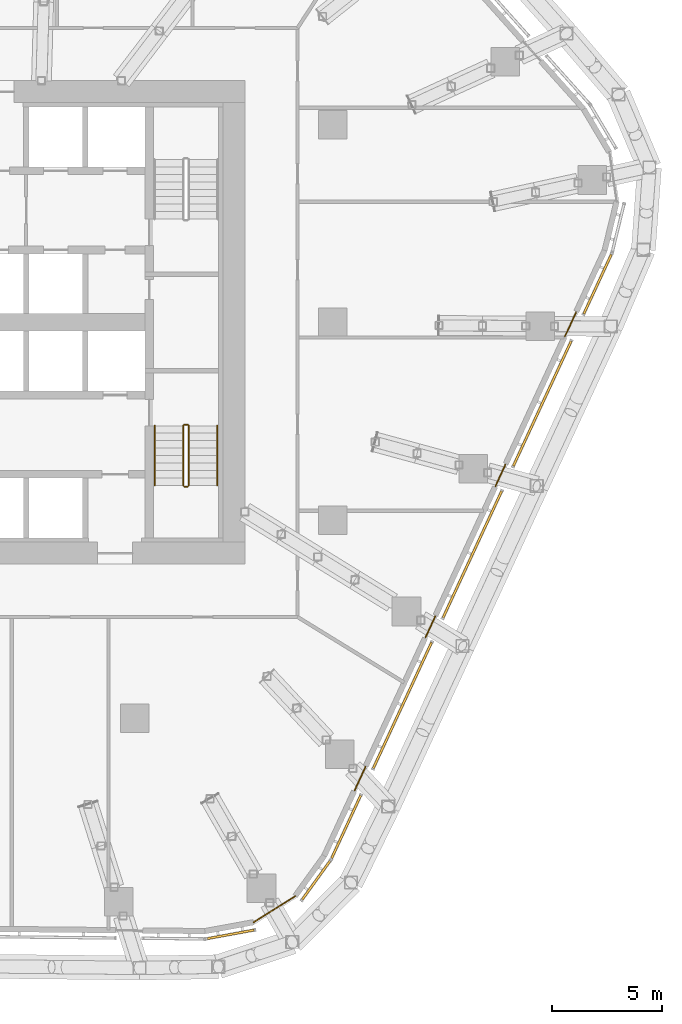
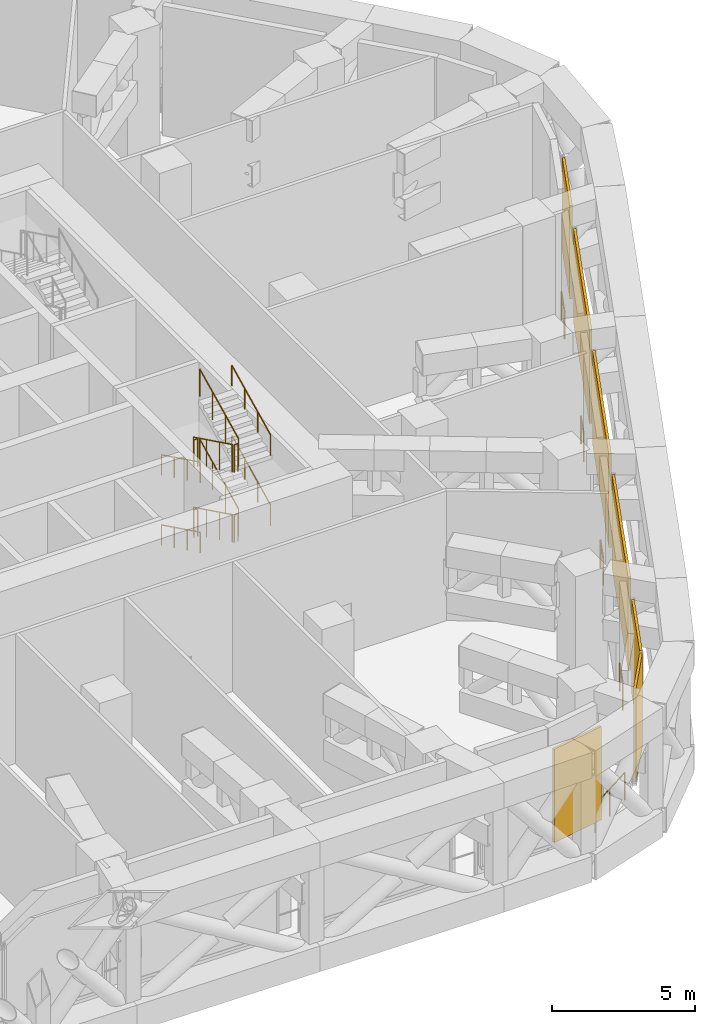
# One storey, part 27 of 30: 17 railings, 7 coverings, 2 elements without a shape of their own.
"""IFC4 building model written with IfcOpenShell, lengths in metres."""

from ifc_helpers import new_model, si_unit, direction, frame, origin, origin_2d, place, context, subcontext, project, spatial, rectangle, circle, extrude, material, layer, layer_set, type_object, element, aggregate, save


model = new_model("IFC4")

# Units and contexts
model_context = context("Model", 3, precision=1e-05, world=origin(), true_north=direction((0.0, 1.0)))
body_context = subcontext(model_context, "Body", "Model", "MODEL_VIEW")
ifc_project = project(units=[si_unit("LENGTHUNIT", "METRE"), si_unit("AREAUNIT", "SQUARE_METRE"), si_unit("VOLUMEUNIT", "CUBIC_METRE"), si_unit("PLANEANGLEUNIT", "RADIAN"), si_unit("MASSUNIT", "GRAM", prefix="KILO")], contexts=[model_context])

# Site, building, storey
site_placement = place(None, origin())
site = spatial("IfcSite", under=ifc_project, at=site_placement, CompositionType="ELEMENT")
building_placement = place(site_placement, origin())
building = spatial("IfcBuilding", under=site, at=building_placement, Name="Dongbaek Canopy Tower", CompositionType="ELEMENT")
storey_placement = place(building_placement, frame((0.0, 0.0, 145.60009765625)))
storey = spatial("IfcBuildingStorey", under=building, at=storey_placement, Name="L32", CompositionType="ELEMENT", Elevation=145.60009765625)

# Curtain wall, coverings
ifc_material_1 = material(Name="Aluminium 6063-T6 pale anodised", Category="aluminium")
ifc_layer_1 = layer(ifc_material_1, 0.14990234375)
ifc_layer_set_1 = layer_set([ifc_layer_1], Name="CW-7 louvre curtain wall")
curtain_wall_type = type_object("IfcCurtainWallType", Name="CW-7 louvre curtain wall", PredefinedType="NOTDEFINED", material=ifc_layer_set_1)
curtain_wall_1_placement = place(storey_placement, origin())
curtain_wall_1 = element("IfcCurtainWall", 1, at=curtain_wall_1_placement, inside=storey, type_object=curtain_wall_type, Name="CW-7 louvre wall L32 K5", PredefinedType="NOTDEFINED")
ifc_material_2 = material(Name="Aluminium 6063-T6 pale metal louvre blades", Category="aluminium")
ifc_layer_2 = layer(ifc_material_2, 0.10009765625)
ifc_layer_set_2 = layer_set([ifc_layer_2], Name="Louvre LV bank 100 x 4000")
covering_type = type_object("IfcCoveringType", Name="Louvre LV bank 100 x 4000", PredefinedType="CLADDING", material=ifc_layer_set_2)
covering_1_placement = place(storey_placement, frame((13.357421875, -27.839599609375, 0.77490234375), z_axis=(0.0, 0.0, 1.0), x_axis=(0.983694855947, 0.179845573712, 0.0)))
covering_1 = element("IfcCovering", 2, at=covering_1_placement, type_object=covering_type, Name="Louvre L32 K5.1.1", PredefinedType="CLADDING", context=body_context, shape_type="SweptSolid", body=[
    extrude(rectangle(XDim=2.161865234375, YDim=0.10009765625, at=origin_2d()), origin(), (0.0, 0.0, 1.0), 4.0),
])
covering_2_placement = place(storey_placement, frame((17.240234375, -25.38720703125, 0.77490234375), z_axis=(0.0, 0.0, 1.0), x_axis=(0.585133374078, 0.810937071874, 0.0)))
covering_2 = element("IfcCovering", 3, at=covering_2_placement, type_object=covering_type, Name="Louvre L32 K5.2.1", PredefinedType="CLADDING", context=body_context, shape_type="SweptSolid", body=[
    extrude(rectangle(XDim=2.161865234375, YDim=0.10009765625, at=origin_2d()), origin(), (0.0, 0.0, 1.0), 4.0),
])
aggregate(curtain_wall_1, [covering_1, covering_2])

curtain_wall_2_placement = place(storey_placement, origin())
curtain_wall_2 = element("IfcCurtainWall", 4, at=curtain_wall_2_placement, inside=storey, type_object=curtain_wall_type, Name="CW-7 louvre wall L32 F5", PredefinedType="NOTDEFINED")
covering_3_placement = place(storey_placement, frame((18.613037109375, -22.9482421875, 0.77490234375), z_axis=(0.0, 0.0, 1.0), x_axis=(0.420334494236, 0.907369226366, 0.0)))
covering_3 = element("IfcCovering", 5, at=covering_3_placement, type_object=covering_type, Name="Louvre L32 F5.1.1", PredefinedType="CLADDING", context=body_context, shape_type="SweptSolid", body=[
    extrude(rectangle(XDim=3.146484375, YDim=0.10009765625, at=origin_2d()), origin(), (0.0, 0.0, 1.0), 4.0),
])
covering_4_placement = place(storey_placement, frame((21.173583984375, -17.421142578125, 0.77490234375), z_axis=(0.0, 0.0, 1.0), x_axis=(0.420334494236, 0.907369226366, 0.0)))
covering_4 = element("IfcCovering", 6, at=covering_4_placement, type_object=covering_type, Name="Louvre L32 F5.2.1", PredefinedType="CLADDING", context=body_context, shape_type="SweptSolid", body=[
    extrude(rectangle(XDim=6.310302734375, YDim=0.10009765625, at=origin_2d()), origin(), (0.0, 0.0, 1.0), 4.0),
])
covering_5_placement = place(storey_placement, frame((24.35400390625, -10.55517578125, 0.77490234375), z_axis=(0.0, 0.0, 1.0), x_axis=(0.420334494236, 0.907369226366, 0.0)))
covering_5 = element("IfcCovering", 7, at=covering_5_placement, type_object=covering_type, Name="Louvre L32 F5.3.1", PredefinedType="CLADDING", context=body_context, shape_type="SweptSolid", body=[
    extrude(rectangle(XDim=6.342529296875, YDim=0.10009765625, at=origin_2d()), origin(), (0.0, 0.0, 1.0), 4.0),
])
covering_6_placement = place(storey_placement, frame((27.531494140625, -3.696533203125, 0.77490234375), z_axis=(0.0, 0.0, 1.0), x_axis=(0.420334494236, 0.907369226366, 0.0)))
covering_6 = element("IfcCovering", 8, at=covering_6_placement, type_object=covering_type, Name="Louvre L32 F5.4.1", PredefinedType="CLADDING", context=body_context, shape_type="SweptSolid", body=[
    extrude(rectangle(XDim=6.251953125, YDim=0.10009765625, at=origin_2d()), origin(), (0.0, 0.0, 1.0), 4.0),
])
covering_7_placement = place(storey_placement, frame((30.052001953125, 1.744873046875, 0.77490234375), z_axis=(0.0, 0.0, 1.0), x_axis=(0.420334494236, 0.907369226366, 0.0)))
covering_7 = element("IfcCovering", 9, at=covering_7_placement, type_object=covering_type, Name="Louvre L32 F5.5.1", PredefinedType="CLADDING", context=body_context, shape_type="SweptSolid", body=[
    extrude(rectangle(XDim=2.97412109375, YDim=0.10009765625, at=origin_2d()), origin(), (0.0, 0.0, 1.0), 4.0),
])
aggregate(curtain_wall_2, [covering_3, covering_4, covering_5, covering_6, covering_7])

# Railings
ifc_material_3 = material(Name="Stainless steel", Category="steel")
railing_type_1 = type_object("IfcRailingType", Name="Plant opening guard 1200", PredefinedType="GUARDRAIL", material=ifc_material_3)
railing_1_placement = place(storey_placement, frame((14.402099609375, -27.292724609375, 0.0)))
element("IfcRailing", 10, at=railing_1_placement, inside=storey, type_object=railing_type_1, Name="Plant opening guard L32 K5 1", PredefinedType="GUARDRAIL", context=body_context, shape_type="SweptSolid", body=[
    extrude(circle(Radius=0.02392578125, at=origin_2d()), frame((0.0, 0.0, 1.17578125), z_axis=(0.845468201382, 0.534025767591, 0.0), x_axis=(-0.534025767591, 0.845468201382, 0.0)), (0.0, 0.0, 1.0), 2.241943359375),
    extrude(circle(Radius=0.02099609375, at=origin_2d()), origin(), (0.0, 0.0, 1.0), 1.15185546875),
    extrude(circle(Radius=0.02099609375, at=origin_2d()), frame((0.94775390625, 0.5986328125, 0.0)), (0.0, 0.0, 1.0), 1.15185546875),
    extrude(circle(Radius=0.02099609375, at=origin_2d()), frame((1.8955078125, 1.197265625, 0.0)), (0.0, 0.0, 1.0), 1.15185546875),
])
railing_2_placement = place(storey_placement, frame((18.996826171875, -21.287353515625, 0.0)))
element("IfcRailing", 11, at=railing_2_placement, inside=storey, type_object=railing_type_1, Name="Plant opening guard L32 F5 1", PredefinedType="GUARDRAIL", context=body_context, shape_type="SweptSolid", body=[
    extrude(circle(Radius=0.02392578125, at=origin_2d()), frame((0.0, 0.0, 1.17578125), z_axis=(0.420206087891, 0.907428698962, 0.0), x_axis=(-0.907428698962, 0.420206087891, 0.0)), (0.0, 0.0, 1.0), 1.173095703125),
    extrude(circle(Radius=0.02099609375, at=origin_2d()), origin(), (0.0, 0.0, 1.0), 1.15185546875),
    extrude(circle(Radius=0.02099609375, at=origin_2d()), frame((0.492919921875, 1.064453125, 0.0)), (0.0, 0.0, 1.0), 1.15185546875),
])
railing_3_placement = place(storey_placement, frame((22.22216796875, -14.324951171875, 0.0)))
element("IfcRailing", 12, at=railing_3_placement, inside=storey, type_object=railing_type_1, Name="Plant opening guard L32 F5 2", PredefinedType="GUARDRAIL", context=body_context, shape_type="SweptSolid", body=[
    extrude(circle(Radius=0.02392578125, at=origin_2d()), frame((0.0, 0.0, 1.17578125), z_axis=(0.420236991103, 0.907414387868, 0.0), x_axis=(-0.907414387868, 0.420236991103, 0.0)), (0.0, 0.0, 1.0), 1.05029296875),
    extrude(circle(Radius=0.02099609375, at=origin_2d()), origin(), (0.0, 0.0, 1.0), 1.15185546875),
    extrude(circle(Radius=0.02099609375, at=origin_2d()), frame((0.44140625, 0.953125, 0.0)), (0.0, 0.0, 1.0), 1.15185546875),
])
railing_4_placement = place(storey_placement, frame((25.409423828125, -7.4443359375, 0.0)))
element("IfcRailing", 13, at=railing_4_placement, inside=storey, type_object=railing_type_1, Name="Plant opening guard L32 F5 3", PredefinedType="GUARDRAIL", context=body_context, shape_type="SweptSolid", body=[
    extrude(circle(Radius=0.02392578125, at=origin_2d()), frame((0.0, 0.0, 1.17578125), z_axis=(0.420314635908, 0.907378425378, 0.0), x_axis=(-0.907378425378, 0.420314635908, 0.0)), (0.0, 0.0, 1.0), 1.07177734375),
    extrude(circle(Radius=0.02099609375, at=origin_2d()), origin(), (0.0, 0.0, 1.0), 1.15185546875),
    extrude(circle(Radius=0.02099609375, at=origin_2d()), frame((0.450439453125, 0.972412109375, 0.0)), (0.0, 0.0, 1.0), 1.15185546875),
])
railing_5_placement = place(storey_placement, frame((28.567626953125, -0.626708984375, 0.0)))
element("IfcRailing", 14, at=railing_5_placement, inside=storey, type_object=railing_type_1, Name="Plant opening guard L32 F5 4", PredefinedType="GUARDRAIL", context=body_context, shape_type="SweptSolid", body=[
    extrude(circle(Radius=0.02392578125, at=origin_2d()), frame((0.0, 0.0, 1.17578125), z_axis=(0.420432271757, 0.907323924993, 0.0), x_axis=(-0.907323924993, 0.420432271757, 0.0)), (0.0, 0.0, 1.0), 1.19384765625),
    extrude(circle(Radius=0.02099609375, at=origin_2d()), origin(), (0.0, 0.0, 1.0), 1.15185546875),
    extrude(circle(Radius=0.02099609375, at=origin_2d()), frame((0.501953125, 1.083251953125, 0.0)), (0.0, 0.0, 1.0), 1.15185546875),
])
ifc_material_4 = material(Name="Stainless steel tube and balusters", Category="steel")
railing_type_2 = type_object("IfcRailingType", Name="Stair guard 1200", PredefinedType="GUARDRAIL", material=ifc_material_4)
railing_6_placement = place(storey_placement, frame((11.199951171875, -4.699951171875, 0.16650390625)))
element("IfcRailing", 15, at=railing_6_placement, inside=storey, type_object=railing_type_2, Name="L32 ST-B stair guard 1", PredefinedType="GUARDRAIL", context=body_context, shape_type="SweptSolid", body=[
    extrude(circle(Radius=0.02392578125, at=origin_2d()), frame((0.0, 0.0, 1.17578125), z_axis=(0.0, -0.89789761255, 0.440204358653), x_axis=(1.0, 0.0, 0.0)), (0.0, 0.0, 1.0), 3.029296875),
    extrude(circle(Radius=0.02099609375, at=origin_2d()), origin(), (0.0, 0.0, 1.0), 1.15185546875),
    extrude(circle(Radius=0.02099609375, at=origin_2d()), frame((0.0, -0.90673828125, 0.444580078125)), (0.0, 0.0, 1.0), 1.15185546875),
    extrude(circle(Radius=0.02099609375, at=origin_2d()), frame((0.0, -1.813232421875, 0.888916015625)), (0.0, 0.0, 1.0), 1.15185546875),
    extrude(circle(Radius=0.02099609375, at=origin_2d()), frame((0.0, -2.719970703125, 1.33349609375)), (0.0, 0.0, 1.0), 1.15185546875),
])
railing_7_placement = place(storey_placement, frame((11.25, -7.469970703125, 1.5)))
element("IfcRailing", 16, at=railing_7_placement, inside=storey, type_object=railing_type_2, Name="L32 ST-B stair guard 2", PredefinedType="GUARDRAIL", context=body_context, shape_type="SweptSolid", body=[
    extrude(circle(Radius=0.02392578125, at=origin_2d()), frame((0.0, 0.0, 1.17578125), z_axis=(1.0, 0.0, 0.0), x_axis=(0.0, 1.0, 0.0)), (0.0, 0.0, 1.0), 0.14990234375),
    extrude(circle(Radius=0.02099609375, at=origin_2d()), origin(), (0.0, 0.0, 1.0), 1.15185546875),
    extrude(circle(Radius=0.02099609375, at=origin_2d()), frame((0.14990234375, 0.0, 0.0)), (0.0, 0.0, 1.0), 1.15185546875),
])
railing_8_placement = place(storey_placement, frame((11.449951171875, -7.419921875, 1.66650390625)))
element("IfcRailing", 17, at=railing_8_placement, inside=storey, type_object=railing_type_2, Name="L32 ST-B stair guard 3", PredefinedType="GUARDRAIL", context=body_context, shape_type="SweptSolid", body=[
    extrude(circle(Radius=0.02392578125, at=origin_2d()), frame((0.0, 0.0, 1.17578125), z_axis=(0.0, 0.89789761255, 0.440204358653), x_axis=(-1.0, 0.0, 0.0)), (0.0, 0.0, 1.0), 3.029296875),
    extrude(circle(Radius=0.02099609375, at=origin_2d()), origin(), (0.0, 0.0, 1.0), 1.15185546875),
    extrude(circle(Radius=0.02099609375, at=origin_2d()), frame((0.0, 0.90673828125, 0.444580078125)), (0.0, 0.0, 1.0), 1.15185546875),
    extrude(circle(Radius=0.02099609375, at=origin_2d()), frame((0.0, 1.813232421875, 0.888916015625)), (0.0, 0.0, 1.0), 1.15185546875),
    extrude(circle(Radius=0.02099609375, at=origin_2d()), frame((0.0, 2.719970703125, 1.33349609375)), (0.0, 0.0, 1.0), 1.15185546875),
])
railing_9_placement = place(storey_placement, frame((11.25, -4.64990234375, 3.0)))
element("IfcRailing", 18, at=railing_9_placement, inside=storey, type_object=railing_type_2, Name="L32 ST-B stair guard 4", PredefinedType="GUARDRAIL", context=body_context, shape_type="SweptSolid", body=[
    extrude(circle(Radius=0.02392578125, at=origin_2d()), frame((0.0, 0.0, 1.17578125), z_axis=(1.0, 0.0, 0.0), x_axis=(0.0, 1.0, 0.0)), (0.0, 0.0, 1.0), 0.14990234375),
    extrude(circle(Radius=0.02099609375, at=origin_2d()), origin(), (0.0, 0.0, 1.0), 1.15185546875),
    extrude(circle(Radius=0.02099609375, at=origin_2d()), frame((0.14990234375, 0.0, 0.0)), (0.0, 0.0, 1.0), 1.15185546875),
])
railing_10_placement = place(storey_placement, frame((11.199951171875, -4.699951171875, 3.16650390625)))
element("IfcRailing", 19, at=railing_10_placement, inside=storey, type_object=railing_type_2, Name="L32 ST-B stair guard 5", PredefinedType="GUARDRAIL", context=body_context, shape_type="SweptSolid", body=[
    extrude(circle(Radius=0.02392578125, at=origin_2d()), frame((0.0, 0.0, 1.17578125), z_axis=(0.0, -0.89789761255, 0.440204358653), x_axis=(1.0, 0.0, 0.0)), (0.0, 0.0, 1.0), 3.029296875),
    extrude(circle(Radius=0.02099609375, at=origin_2d()), origin(), (0.0, 0.0, 1.0), 1.15185546875),
    extrude(circle(Radius=0.02099609375, at=origin_2d()), frame((0.0, -0.90673828125, 0.444580078125)), (0.0, 0.0, 1.0), 1.15185546875),
    extrude(circle(Radius=0.02099609375, at=origin_2d()), frame((0.0, -1.813232421875, 0.888916015625)), (0.0, 0.0, 1.0), 1.15185546875),
    extrude(circle(Radius=0.02099609375, at=origin_2d()), frame((0.0, -2.719970703125, 1.33349609375)), (0.0, 0.0, 1.0), 1.15185546875),
])
railing_11_placement = place(storey_placement, frame((11.25, -7.469970703125, 4.5)))
element("IfcRailing", 20, at=railing_11_placement, inside=storey, type_object=railing_type_2, Name="L32 ST-B stair guard 6", PredefinedType="GUARDRAIL", context=body_context, shape_type="SweptSolid", body=[
    extrude(circle(Radius=0.02392578125, at=origin_2d()), frame((0.0, 0.0, 1.17578125), z_axis=(1.0, 0.0, 0.0), x_axis=(0.0, 1.0, 0.0)), (0.0, 0.0, 1.0), 0.14990234375),
    extrude(circle(Radius=0.02099609375, at=origin_2d()), origin(), (0.0, 0.0, 1.0), 1.15185546875),
    extrude(circle(Radius=0.02099609375, at=origin_2d()), frame((0.14990234375, 0.0, 0.0)), (0.0, 0.0, 1.0), 1.15185546875),
])
railing_12_placement = place(storey_placement, frame((11.449951171875, -7.419921875, 4.66650390625)))
element("IfcRailing", 21, at=railing_12_placement, inside=storey, type_object=railing_type_2, Name="L32 ST-B stair guard 7", PredefinedType="GUARDRAIL", context=body_context, shape_type="SweptSolid", body=[
    extrude(circle(Radius=0.02392578125, at=origin_2d()), frame((0.0, 0.0, 1.17578125), z_axis=(0.0, 0.89789761255, 0.440204358653), x_axis=(-1.0, 0.0, 0.0)), (0.0, 0.0, 1.0), 3.029296875),
    extrude(circle(Radius=0.02099609375, at=origin_2d()), origin(), (0.0, 0.0, 1.0), 1.15185546875),
    extrude(circle(Radius=0.02099609375, at=origin_2d()), frame((0.0, 0.90673828125, 0.444580078125)), (0.0, 0.0, 1.0), 1.15185546875),
    extrude(circle(Radius=0.02099609375, at=origin_2d()), frame((0.0, 1.813232421875, 0.888916015625)), (0.0, 0.0, 1.0), 1.15185546875),
    extrude(circle(Radius=0.02099609375, at=origin_2d()), frame((0.0, 2.719970703125, 1.33349609375)), (0.0, 0.0, 1.0), 1.15185546875),
])
railing_13_placement = place(storey_placement, frame((11.25, -4.64990234375, 0.0)))
element("IfcRailing", 22, at=railing_13_placement, inside=storey, type_object=railing_type_2, Name="L32 ST-B stair guard 8", PredefinedType="GUARDRAIL", context=body_context, shape_type="SweptSolid", body=[
    extrude(circle(Radius=0.02392578125, at=origin_2d()), frame((0.0, 0.0, 1.17578125), z_axis=(1.0, 0.0, 0.0), x_axis=(0.0, 1.0, 0.0)), (0.0, 0.0, 1.0), 0.14990234375),
    extrude(circle(Radius=0.02099609375, at=origin_2d()), origin(), (0.0, 0.0, 1.0), 1.15185546875),
    extrude(circle(Radius=0.02099609375, at=origin_2d()), frame((0.14990234375, 0.0, 0.0)), (0.0, 0.0, 1.0), 1.15185546875),
])
ifc_material_5 = material(Name="Stainless steel tube", Category="steel")
railing_type_3 = type_object("IfcRailingType", Name="Stair handrail 900", PredefinedType="HANDRAIL", material=ifc_material_5)
railing_14_placement = place(storey_placement, frame((9.89990234375, -4.699951171875, 0.16650390625)))
element("IfcRailing", 23, at=railing_14_placement, inside=storey, type_object=railing_type_3, Name="L32 ST-B stair handrail 1", PredefinedType="HANDRAIL", context=body_context, shape_type="SweptSolid", body=[
    extrude(circle(Radius=0.02392578125, at=origin_2d()), frame((0.0, 0.0, 0.8759765625), z_axis=(0.0, -0.89789761255, 0.440204358653), x_axis=(1.0, 0.0, 0.0)), (0.0, 0.0, 1.0), 3.029296875),
    extrude(circle(Radius=0.02099609375, at=origin_2d()), origin(), (0.0, 0.0, 1.0), 0.851806640625),
    extrude(circle(Radius=0.02099609375, at=origin_2d()), frame((0.0, -0.90673828125, 0.444580078125)), (0.0, 0.0, 1.0), 0.851806640625),
    extrude(circle(Radius=0.02099609375, at=origin_2d()), frame((0.0, -1.813232421875, 0.888916015625)), (0.0, 0.0, 1.0), 0.851806640625),
    extrude(circle(Radius=0.02099609375, at=origin_2d()), frame((0.0, -2.719970703125, 1.33349609375)), (0.0, 0.0, 1.0), 0.851806640625),
])
railing_15_placement = place(storey_placement, frame((12.75, -7.419921875, 1.66650390625)))
element("IfcRailing", 24, at=railing_15_placement, inside=storey, type_object=railing_type_3, Name="L32 ST-B stair handrail 2", PredefinedType="HANDRAIL", context=body_context, shape_type="SweptSolid", body=[
    extrude(circle(Radius=0.02392578125, at=origin_2d()), frame((0.0, 0.0, 0.8759765625), z_axis=(0.0, 0.89789761255, 0.440204358653), x_axis=(-1.0, 0.0, 0.0)), (0.0, 0.0, 1.0), 3.029296875),
    extrude(circle(Radius=0.02099609375, at=origin_2d()), origin(), (0.0, 0.0, 1.0), 0.851806640625),
    extrude(circle(Radius=0.02099609375, at=origin_2d()), frame((0.0, 0.90673828125, 0.444580078125)), (0.0, 0.0, 1.0), 0.851806640625),
    extrude(circle(Radius=0.02099609375, at=origin_2d()), frame((0.0, 1.813232421875, 0.888916015625)), (0.0, 0.0, 1.0), 0.851806640625),
    extrude(circle(Radius=0.02099609375, at=origin_2d()), frame((0.0, 2.719970703125, 1.33349609375)), (0.0, 0.0, 1.0), 0.851806640625),
])
railing_16_placement = place(storey_placement, frame((9.89990234375, -4.699951171875, 3.16650390625)))
element("IfcRailing", 25, at=railing_16_placement, inside=storey, type_object=railing_type_3, Name="L32 ST-B stair handrail 3", PredefinedType="HANDRAIL", context=body_context, shape_type="SweptSolid", body=[
    extrude(circle(Radius=0.02392578125, at=origin_2d()), frame((0.0, 0.0, 0.8759765625), z_axis=(0.0, -0.89789761255, 0.440204358653), x_axis=(1.0, 0.0, 0.0)), (0.0, 0.0, 1.0), 3.029296875),
    extrude(circle(Radius=0.02099609375, at=origin_2d()), origin(), (0.0, 0.0, 1.0), 0.851806640625),
    extrude(circle(Radius=0.02099609375, at=origin_2d()), frame((0.0, -0.90673828125, 0.444580078125)), (0.0, 0.0, 1.0), 0.851806640625),
    extrude(circle(Radius=0.02099609375, at=origin_2d()), frame((0.0, -1.813232421875, 0.888916015625)), (0.0, 0.0, 1.0), 0.851806640625),
    extrude(circle(Radius=0.02099609375, at=origin_2d()), frame((0.0, -2.719970703125, 1.33349609375)), (0.0, 0.0, 1.0), 0.851806640625),
])
railing_17_placement = place(storey_placement, frame((12.75, -7.419921875, 4.66650390625)))
element("IfcRailing", 26, at=railing_17_placement, inside=storey, type_object=railing_type_3, Name="L32 ST-B stair handrail 4", PredefinedType="HANDRAIL", context=body_context, shape_type="SweptSolid", body=[
    extrude(circle(Radius=0.02392578125, at=origin_2d()), frame((0.0, 0.0, 0.8759765625), z_axis=(0.0, 0.89789761255, 0.440204358653), x_axis=(-1.0, 0.0, 0.0)), (0.0, 0.0, 1.0), 3.029296875),
    extrude(circle(Radius=0.02099609375, at=origin_2d()), origin(), (0.0, 0.0, 1.0), 0.851806640625),
    extrude(circle(Radius=0.02099609375, at=origin_2d()), frame((0.0, 0.90673828125, 0.444580078125)), (0.0, 0.0, 1.0), 0.851806640625),
    extrude(circle(Radius=0.02099609375, at=origin_2d()), frame((0.0, 1.813232421875, 0.888916015625)), (0.0, 0.0, 1.0), 0.851806640625),
    extrude(circle(Radius=0.02099609375, at=origin_2d()), frame((0.0, 2.719970703125, 1.33349609375)), (0.0, 0.0, 1.0), 0.851806640625),
])

save(model, "model.ifc")
